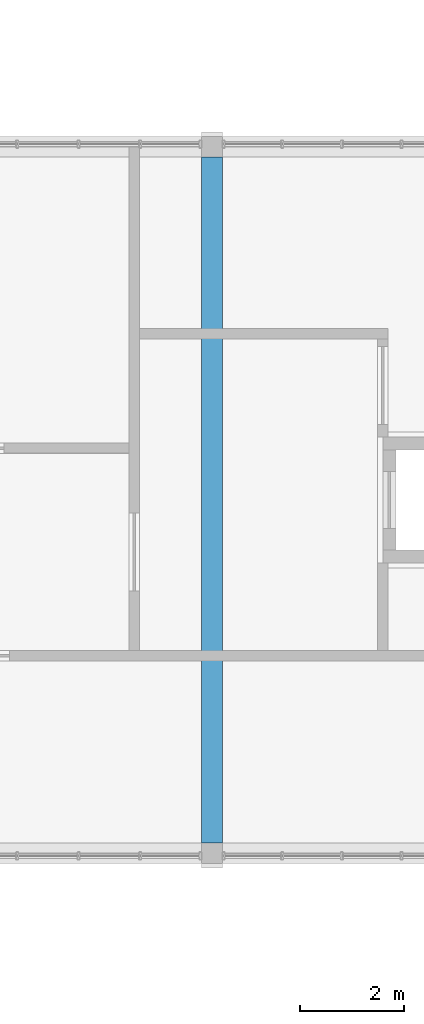
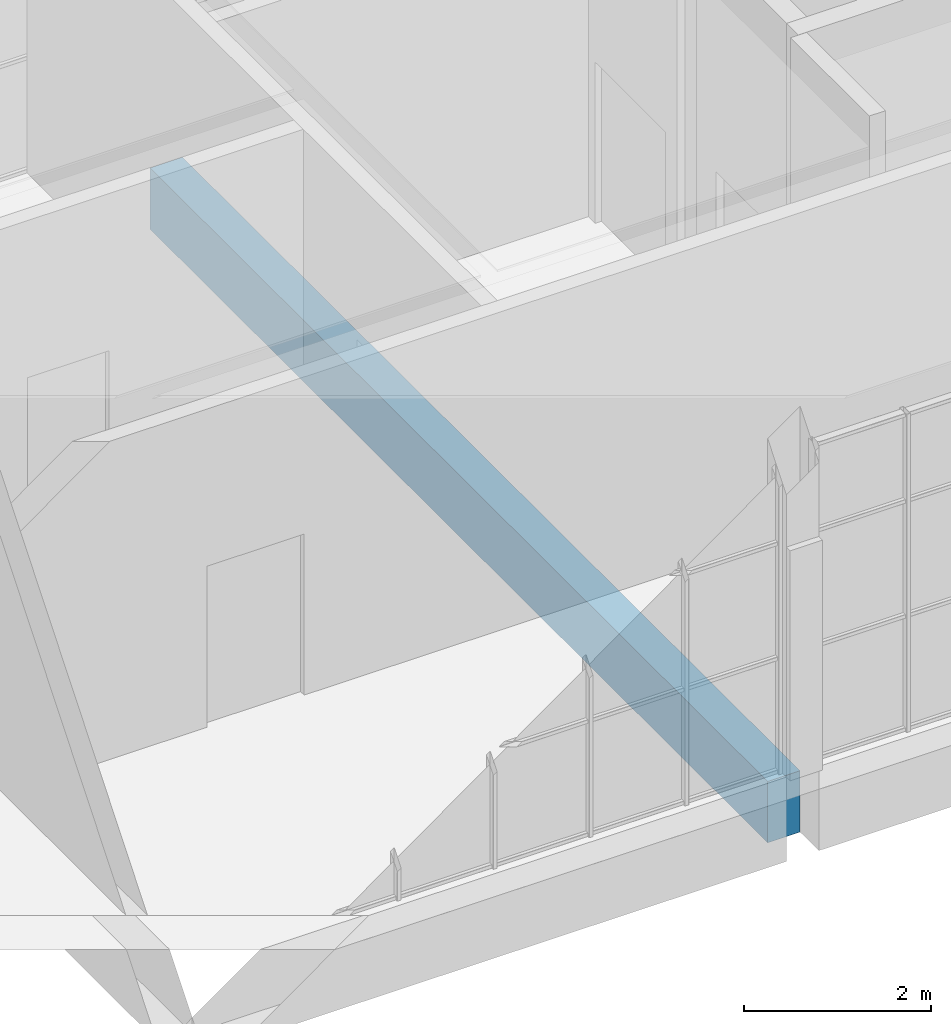
# One storey, part 25 of 125: 1 beam.
"""IFC4 building model written with IfcOpenShell, lengths in metres."""

from ifc_helpers import new_model, si_unit, direction, frame, origin, origin_2d, place, context, subcontext, project, spatial, rectangle, extrude, material, material_profile, profile_set, type_object, element, save


model = new_model("IFC4")

# Units and contexts
model_context = context("Model", 3, precision=1e-05, world=origin(), true_north=direction((0.0, 1.0)))
body_context = subcontext(model_context, "Body", "Model", "MODEL_VIEW")
ifc_project = project(units=[si_unit("LENGTHUNIT", "METRE"), si_unit("AREAUNIT", "SQUARE_METRE"), si_unit("VOLUMEUNIT", "CUBIC_METRE"), si_unit("PLANEANGLEUNIT", "RADIAN"), si_unit("MASSUNIT", "GRAM", prefix="KILO")], contexts=[model_context])

# Site, building, storey
site_placement = place(None, origin())
site = spatial("IfcSite", under=ifc_project, at=site_placement, CompositionType="ELEMENT")
building_placement = place(site_placement, origin())
building = spatial("IfcBuilding", under=site, at=building_placement, Name="Sun Court Science Centre", CompositionType="ELEMENT")
storey_placement = place(building_placement, frame((0.0, 0.0, 6.0)))
storey = spatial("IfcBuildingStorey", under=building, at=storey_placement, Name="L01", CompositionType="ELEMENT", Elevation=6.0)

# Beam
ifc_material = material(Name="Concrete C25/30", Category="concrete")
ifc_material_profile = material_profile(ifc_material, rectangle(XDim=0.39990234375, YDim=0.800048828125, at=origin_2d()), Name="RC 400x800")
ifc_profile_set = profile_set([ifc_material_profile], Name="Concrete C25/30")
beam_type = type_object("IfcBeamType", Name="RC girder 400x800", PredefinedType="BEAM", material=ifc_profile_set)
beam_placement = place(storey_placement, frame((58.5, 36.39990234375, -0.699951171875), z_axis=(0.0, 1.0, 0.0), x_axis=(-1.0, 0.0, 0.0)))
element("IfcBeam", 1, at=beam_placement, inside=storey, type_object=beam_type, Name="Girder L01 line 2", PredefinedType="BEAM", context=body_context, shape_type="SweptSolid", body=[
    extrude(rectangle(XDim=0.39990234375, YDim=0.800048828125, at=origin_2d()), origin(), (0.0, 0.0, 1.0), 13.2001953125),
])

save(model, "model.ifc")
